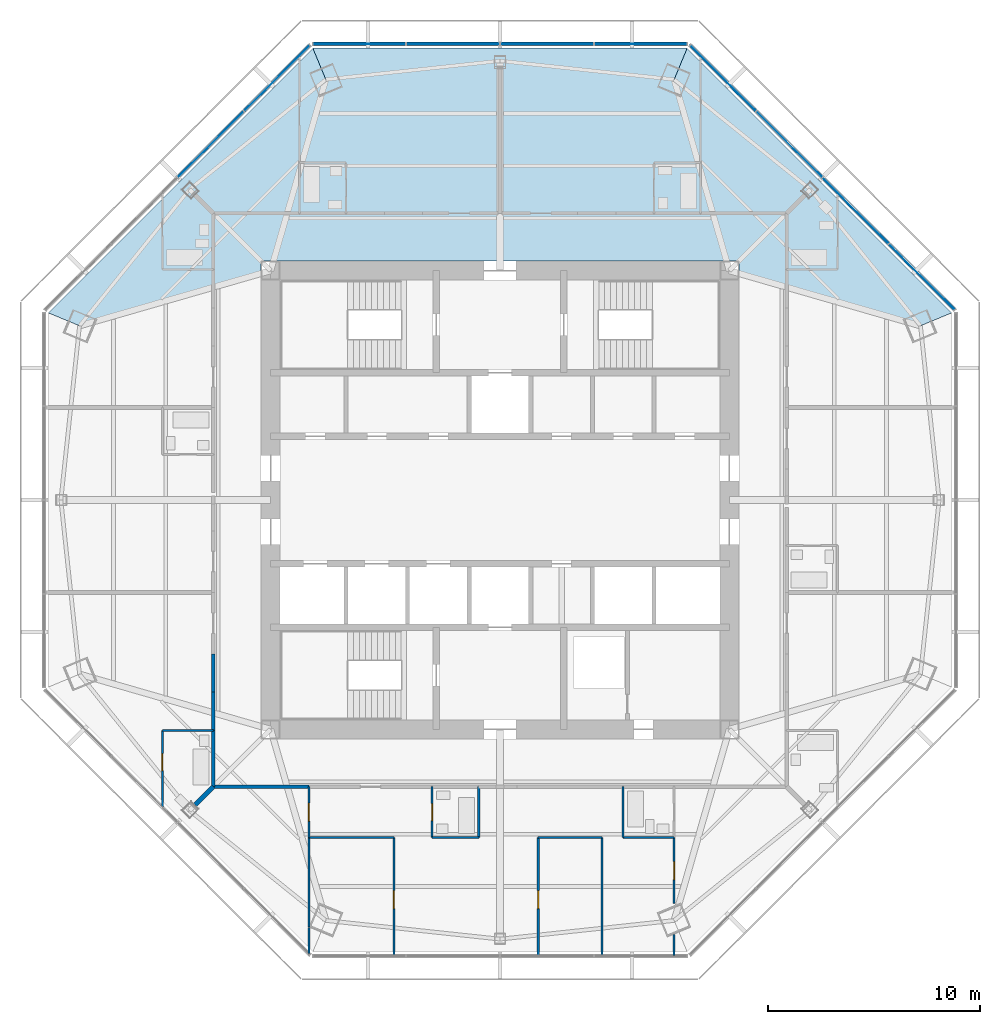
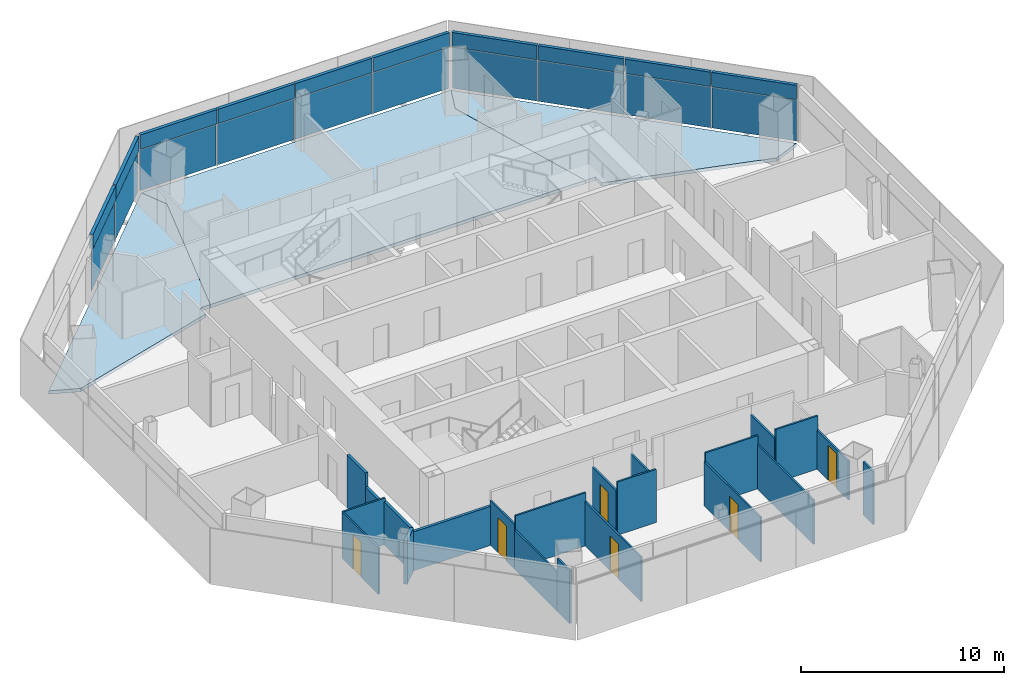
# One storey, part 8 of 15: 22 walls, 20 plates, 6 doors, 3 slabs, 6 openings, 3 elements without a shape of their own.
"""IFC4 building model written with IfcOpenShell, lengths in metres."""

from ifc_helpers import new_model, si_unit, direction, frame, frame_2d, origin, origin_2d, place, context, subcontext, project, spatial, polyline, rectangle, outline, extrude, source, transform, mapped, material, layer, layer_set, type_object, type_shapes, element, fill, aggregate, save


model = new_model("IFC4")

# Units and contexts
model_context = context("Model", 3, precision=1e-05, world=origin(), true_north=direction((0.0, 1.0)))
body_context = subcontext(model_context, "Body", "Model", "MODEL_VIEW")
ifc_project = project(units=[si_unit("LENGTHUNIT", "METRE"), si_unit("AREAUNIT", "SQUARE_METRE"), si_unit("VOLUMEUNIT", "CUBIC_METRE"), si_unit("PLANEANGLEUNIT", "RADIAN"), si_unit("MASSUNIT", "GRAM", prefix="KILO")], contexts=[model_context])

# Site, building, storey
site_placement = place(None, origin())
site = spatial("IfcSite", under=ifc_project, at=site_placement, CompositionType="ELEMENT")
building_placement = place(site_placement, origin())
building = spatial("IfcBuilding", under=site, at=building_placement, Name="Mashrafa Tower", CompositionType="ELEMENT")
storey_placement = place(building_placement, frame((0.0, 0.0, 231.199951171875)))
storey = spatial("IfcBuildingStorey", under=building, at=storey_placement, Name="L54", CompositionType="ELEMENT", Elevation=231.199951171875)

# Slabs
ifc_material_1 = material(Name="Concrete C35/45", Category="concrete")
ifc_layer_1 = layer(ifc_material_1, 0.199951171875)
ifc_layer_set_1 = layer_set([ifc_layer_1], Name="Floor slab 200")
slab_type = type_object("IfcSlabType", Name="Floor slab 200", PredefinedType="FLOOR", material=ifc_layer_set_1)
slab_1_placement = place(storey_placement, frame((0.0, 0.0, -0.199951171875)))
element("IfcSlab", 1, at=slab_1_placement, inside=storey, type_object=slab_type, Name="Floor slab L54 north-east bay", PredefinedType="FLOOR", context=body_context, shape_type="SweptSolid", body=[
    extrude(outline(polyline([(21.2744140625, 8.812255859375), (19.8017578125, 8.2021484375), (11.25, 10.670166015625), (11.25, 11.25), (10.670166015625, 11.25), (8.2021484375, 19.8017578125), (8.812255859375, 21.2744140625), (21.2744140625, 8.812255859375)])), origin(), (0.0, 0.0, 1.0), 0.199951171875),
])
slab_2_placement = place(storey_placement, frame((0.0, 0.0, -0.199951171875)))
element("IfcSlab", 2, at=slab_2_placement, inside=storey, type_object=slab_type, Name="Floor slab L54 north bay", PredefinedType="FLOOR", context=body_context, shape_type="SweptSolid", body=[
    extrude(outline(polyline([(-8.812255859375, 21.2744140625), (8.812255859375, 21.2744140625), (8.812255859375, 21.2744140625), (8.2021484375, 19.8017578125), (10.670166015625, 11.25), (-10.670166015625, 11.25), (-8.2021484375, 19.8017578125), (-8.812255859375, 21.2744140625), (-8.812255859375, 21.2744140625)])), origin(), (0.0, 0.0, 1.0), 0.199951171875),
])
slab_3_placement = place(storey_placement, frame((0.0, 0.0, -0.199951171875)))
element("IfcSlab", 3, at=slab_3_placement, inside=storey, type_object=slab_type, Name="Floor slab L54 north-west bay", PredefinedType="FLOOR", context=body_context, shape_type="SweptSolid", body=[
    extrude(outline(polyline([(-8.812255859375, 21.2744140625), (-8.2021484375, 19.8017578125), (-10.670166015625, 11.25), (-11.25, 11.25), (-11.25, 10.670166015625), (-19.8017578125, 8.2021484375), (-21.2744140625, 8.812255859375), (-8.812255859375, 21.2744140625)])), origin(), (0.0, 0.0, 1.0), 0.199951171875),
])

# Curtain wall, plates
ifc_material_2 = material(Name="Unitised aluminium curtain wall", Category="aluminium")
curtain_wall_type = type_object("IfcCurtainWallType", Name="Apartment curtain wall, zone 3 CW-C 180 deep", PredefinedType="NOTDEFINED", material=ifc_material_2)
curtain_wall_1_placement = place(storey_placement, origin())
curtain_wall_1 = element("IfcCurtainWall", 4, at=curtain_wall_1_placement, inside=storey, type_object=curtain_wall_type, Name="Apartment curtain wall, zone 3 L54 north-east", PredefinedType="NOTDEFINED")
ifc_material_3 = material(Name="Insulated double glazing, acoustic", Category="glass")
ifc_layer_2 = layer(ifc_material_3, 0.028076171875)
ifc_layer_set_2 = layer_set([ifc_layer_2], Name="Vision panel CW-C 28")
plate_type_1 = type_object("IfcPlateType", Name="Vision panel CW-C 28", PredefinedType="CURTAIN_PANEL", material=ifc_layer_set_2)
shared_shape_1 = source(origin(), body_context, "Body", "SweptSolid", [
    extrude(rectangle(XDim=4.333740234375, YDim=0.028076171875, at=origin_2d()), origin(), (0.0, 0.0, 1.0), 2.46240234375),
])
plate_1_placement = place(storey_placement, frame((19.8662109375, 10.503173828125, 0.0), z_axis=(0.0, 0.0, 1.0), x_axis=(-0.707106781187, 0.707106781187, 0.0)))
plate_1 = element("IfcPlate", 5, at=plate_1_placement, type_object=plate_type_1, Name="CW-C vision panel 1", PredefinedType="CURTAIN_PANEL", context=body_context, shape_type="MappedRepresentation", body=[
    mapped(shared_shape_1, transform((0.0, 0.0, 0.0))),
])
plate_2_placement = place(storey_placement, frame((10.503173828125, 19.8662109375, 0.0), z_axis=(0.0, 0.0, 1.0), x_axis=(-0.707106781187, 0.707106781187, 0.0)))
plate_2 = element("IfcPlate", 6, at=plate_2_placement, type_object=plate_type_1, Name="CW-C vision panel 4", PredefinedType="CURTAIN_PANEL", context=body_context, shape_type="MappedRepresentation", body=[
    mapped(shared_shape_1, transform((0.0, 0.0, 0.0))),
])

curtain_wall_2_placement = place(storey_placement, origin())
curtain_wall_2 = element("IfcCurtainWall", 7, at=curtain_wall_2_placement, inside=storey, type_object=curtain_wall_type, Name="Apartment curtain wall, zone 3 L54 north", PredefinedType="NOTDEFINED")
plate_3_placement = place(storey_placement, frame((6.620849609375, 21.474365234375, 0.0), z_axis=(0.0, 0.0, 1.0), x_axis=(-1.0, 0.0, 0.0)))
plate_3 = element("IfcPlate", 8, at=plate_3_placement, type_object=plate_type_1, Name="CW-C vision panel 1", PredefinedType="CURTAIN_PANEL", context=body_context, shape_type="MappedRepresentation", body=[
    mapped(shared_shape_1, transform((0.0, 0.0, 0.0))),
])
plate_4_placement = place(storey_placement, frame((-6.620849609375, 21.474365234375, 0.0), z_axis=(0.0, 0.0, 1.0), x_axis=(-1.0, 0.0, 0.0)))
plate_4 = element("IfcPlate", 9, at=plate_4_placement, type_object=plate_type_1, Name="CW-C vision panel 4", PredefinedType="CURTAIN_PANEL", context=body_context, shape_type="MappedRepresentation", body=[
    mapped(shared_shape_1, transform((0.0, 0.0, 0.0))),
])

# Curtain wall, plate
curtain_wall_3_placement = place(storey_placement, origin())
curtain_wall_3 = element("IfcCurtainWall", 10, at=curtain_wall_3_placement, inside=storey, type_object=curtain_wall_type, Name="Apartment curtain wall, zone 3 L54 north-west", PredefinedType="NOTDEFINED")
plate_5_placement = place(storey_placement, frame((-10.503173828125, 19.8662109375, 0.0), z_axis=(0.0, 0.0, 1.0), x_axis=(-0.707106781187, -0.707106781187, 0.0)))
plate_5 = element("IfcPlate", 11, at=plate_5_placement, type_object=plate_type_1, Name="CW-C vision panel 1", PredefinedType="CURTAIN_PANEL", context=body_context, shape_type="MappedRepresentation", body=[
    mapped(shared_shape_1, transform((0.0, 0.0, 0.0))),
])

# Plate
ifc_material_4 = material(Name="Insulated bronze aluminium spandrel panel", Category="aluminium")
ifc_layer_3 = layer(ifc_material_4, 0.179931640625)
ifc_layer_set_3 = layer_set([ifc_layer_3], Name="Spandrel panel CW-C 180")
plate_type_2 = type_object("IfcPlateType", Name="Spandrel panel CW-C 180", PredefinedType="CURTAIN_PANEL", material=ifc_layer_set_3)
shared_shape_2 = source(origin(), body_context, "Body", "SweptSolid", [
    extrude(rectangle(XDim=4.333740234375, YDim=0.179931640625, at=origin_2d()), origin(), (0.0, 0.0, 1.0), 0.862548828125),
])
plate_6_placement = place(storey_placement, frame((19.8662109375, 10.503173828125, 2.53759765625), z_axis=(0.0, 0.0, 1.0), x_axis=(-0.707106781187, 0.707106781187, 0.0)))
plate_6 = element("IfcPlate", 12, at=plate_6_placement, type_object=plate_type_2, Name="CW-C spandrel panel 1", PredefinedType="CURTAIN_PANEL", context=body_context, shape_type="MappedRepresentation", body=[
    mapped(shared_shape_2, transform((0.0, 0.0, 0.0))),
])

plate_7_placement = place(storey_placement, frame((10.503173828125, 19.8662109375, 2.53759765625), z_axis=(0.0, 0.0, 1.0), x_axis=(-0.707106781187, 0.707106781187, 0.0)))
plate_7 = element("IfcPlate", 13, at=plate_7_placement, type_object=plate_type_2, Name="CW-C spandrel panel 4", PredefinedType="CURTAIN_PANEL", context=body_context, shape_type="MappedRepresentation", body=[
    mapped(shared_shape_2, transform((0.0, 0.0, 0.0))),
])

plate_8_placement = place(storey_placement, frame((6.620849609375, 21.474365234375, 2.53759765625), z_axis=(0.0, 0.0, 1.0), x_axis=(-1.0, 0.0, 0.0)))
plate_8 = element("IfcPlate", 14, at=plate_8_placement, type_object=plate_type_2, Name="CW-C spandrel panel 1", PredefinedType="CURTAIN_PANEL", context=body_context, shape_type="MappedRepresentation", body=[
    mapped(shared_shape_2, transform((0.0, 0.0, 0.0))),
])

plate_9_placement = place(storey_placement, frame((-6.620849609375, 21.474365234375, 2.53759765625), z_axis=(0.0, 0.0, 1.0), x_axis=(-1.0, 0.0, 0.0)))
plate_9 = element("IfcPlate", 15, at=plate_9_placement, type_object=plate_type_2, Name="CW-C spandrel panel 4", PredefinedType="CURTAIN_PANEL", context=body_context, shape_type="MappedRepresentation", body=[
    mapped(shared_shape_2, transform((0.0, 0.0, 0.0))),
])

plate_10_placement = place(storey_placement, frame((-10.503173828125, 19.8662109375, 2.53759765625), z_axis=(0.0, 0.0, 1.0), x_axis=(-0.707106781187, -0.707106781187, 0.0)))
plate_10 = element("IfcPlate", 16, at=plate_10_placement, type_object=plate_type_2, Name="CW-C spandrel panel 1", PredefinedType="CURTAIN_PANEL", context=body_context, shape_type="MappedRepresentation", body=[
    mapped(shared_shape_2, transform((0.0, 0.0, 0.0))),
])

shared_shape_3 = source(origin(), body_context, "Body", "SweptSolid", [
    extrude(rectangle(XDim=4.36376953125, YDim=0.028076171875, at=origin_2d()), origin(), (0.0, 0.0, 1.0), 2.46240234375),
])
type_shapes(plate_type_1, [shared_shape_1, shared_shape_3])
plate_11_placement = place(storey_placement, frame((16.748779296875, 13.62060546875, 0.0), z_axis=(0.0, 0.0, 1.0), x_axis=(-0.707106781187, 0.707106781187, 0.0)))
plate_11 = element("IfcPlate", 17, at=plate_11_placement, type_object=plate_type_1, Name="CW-C vision panel 2", PredefinedType="CURTAIN_PANEL", context=body_context, shape_type="MappedRepresentation", body=[
    mapped(shared_shape_3, transform((0.0, 0.0, 0.0))),
])

plate_12_placement = place(storey_placement, frame((13.62060546875, 16.748779296875, 0.0), z_axis=(0.0, 0.0, 1.0), x_axis=(-0.707106781187, 0.707106781187, 0.0)))
plate_12 = element("IfcPlate", 18, at=plate_12_placement, type_object=plate_type_1, Name="CW-C vision panel 3", PredefinedType="CURTAIN_PANEL", context=body_context, shape_type="MappedRepresentation", body=[
    mapped(shared_shape_3, transform((0.0, 0.0, 0.0))),
])

plate_13_placement = place(storey_placement, frame((2.2119140625, 21.474365234375, 0.0), z_axis=(0.0, 0.0, 1.0), x_axis=(-1.0, 0.0, 0.0)))
plate_13 = element("IfcPlate", 19, at=plate_13_placement, type_object=plate_type_1, Name="CW-C vision panel 2", PredefinedType="CURTAIN_PANEL", context=body_context, shape_type="MappedRepresentation", body=[
    mapped(shared_shape_3, transform((0.0, 0.0, 0.0))),
])

plate_14_placement = place(storey_placement, frame((-2.2119140625, 21.474365234375, 0.0), z_axis=(0.0, 0.0, 1.0), x_axis=(-1.0, 0.0, 0.0)))
plate_14 = element("IfcPlate", 20, at=plate_14_placement, type_object=plate_type_1, Name="CW-C vision panel 3", PredefinedType="CURTAIN_PANEL", context=body_context, shape_type="MappedRepresentation", body=[
    mapped(shared_shape_3, transform((0.0, 0.0, 0.0))),
])

plate_15_placement = place(storey_placement, frame((-13.62060546875, 16.748779296875, 0.0), z_axis=(0.0, 0.0, 1.0), x_axis=(-0.707106781187, -0.707106781187, 0.0)))
plate_15 = element("IfcPlate", 21, at=plate_15_placement, type_object=plate_type_1, Name="CW-C vision panel 2", PredefinedType="CURTAIN_PANEL", context=body_context, shape_type="MappedRepresentation", body=[
    mapped(shared_shape_3, transform((0.0, 0.0, 0.0))),
])

shared_shape_4 = source(origin(), body_context, "Body", "SweptSolid", [
    extrude(rectangle(XDim=4.36376953125, YDim=0.179931640625, at=origin_2d()), origin(), (0.0, 0.0, 1.0), 0.862548828125),
])
type_shapes(plate_type_2, [shared_shape_2, shared_shape_4])
plate_16_placement = place(storey_placement, frame((16.748779296875, 13.62060546875, 2.53759765625), z_axis=(0.0, 0.0, 1.0), x_axis=(-0.707106781187, 0.707106781187, 0.0)))
plate_16 = element("IfcPlate", 22, at=plate_16_placement, type_object=plate_type_2, Name="CW-C spandrel panel 2", PredefinedType="CURTAIN_PANEL", context=body_context, shape_type="MappedRepresentation", body=[
    mapped(shared_shape_4, transform((0.0, 0.0, 0.0))),
])

plate_17_placement = place(storey_placement, frame((13.62060546875, 16.748779296875, 2.53759765625), z_axis=(0.0, 0.0, 1.0), x_axis=(-0.707106781187, 0.707106781187, 0.0)))
plate_17 = element("IfcPlate", 23, at=plate_17_placement, type_object=plate_type_2, Name="CW-C spandrel panel 3", PredefinedType="CURTAIN_PANEL", context=body_context, shape_type="MappedRepresentation", body=[
    mapped(shared_shape_4, transform((0.0, 0.0, 0.0))),
])

aggregate(curtain_wall_1, [plate_1, plate_6, plate_11, plate_16, plate_12, plate_17, plate_2, plate_7])

plate_18_placement = place(storey_placement, frame((2.2119140625, 21.474365234375, 2.53759765625), z_axis=(0.0, 0.0, 1.0), x_axis=(-1.0, 0.0, 0.0)))
plate_18 = element("IfcPlate", 24, at=plate_18_placement, type_object=plate_type_2, Name="CW-C spandrel panel 2", PredefinedType="CURTAIN_PANEL", context=body_context, shape_type="MappedRepresentation", body=[
    mapped(shared_shape_4, transform((0.0, 0.0, 0.0))),
])

plate_19_placement = place(storey_placement, frame((-2.2119140625, 21.474365234375, 2.53759765625), z_axis=(0.0, 0.0, 1.0), x_axis=(-1.0, 0.0, 0.0)))
plate_19 = element("IfcPlate", 25, at=plate_19_placement, type_object=plate_type_2, Name="CW-C spandrel panel 3", PredefinedType="CURTAIN_PANEL", context=body_context, shape_type="MappedRepresentation", body=[
    mapped(shared_shape_4, transform((0.0, 0.0, 0.0))),
])

aggregate(curtain_wall_2, [plate_3, plate_8, plate_13, plate_18, plate_14, plate_19, plate_4, plate_9])

plate_20_placement = place(storey_placement, frame((-13.62060546875, 16.748779296875, 2.53759765625), z_axis=(0.0, 0.0, 1.0), x_axis=(-0.707106781187, -0.707106781187, 0.0)))
plate_20 = element("IfcPlate", 26, at=plate_20_placement, type_object=plate_type_2, Name="CW-C spandrel panel 2", PredefinedType="CURTAIN_PANEL", context=body_context, shape_type="MappedRepresentation", body=[
    mapped(shared_shape_4, transform((0.0, 0.0, 0.0))),
])

aggregate(curtain_wall_3, [plate_5, plate_10, plate_15, plate_20])

# Walls
ifc_material_5 = material(Name="Gypsum board on steel studs", Category="steel")
ifc_layer_4 = layer(ifc_material_5, 0.199951171875)
ifc_layer_set_4 = layer_set([ifc_layer_4], Name="Acoustic partition 200 1 hr")
wall_type_1 = type_object("IfcWallType", Name="Acoustic partition 200 1 hr", PredefinedType="PARTITIONING", material=ifc_layer_set_4)
wall_1_placement = place(storey_placement, frame((-14.360595703125, -14.360595703125, 0.0), z_axis=(0.0, 0.0, 1.0), x_axis=(0.707106781187, 0.707106781187, 0.0)))
element("IfcWall", 27, at=wall_1_placement, inside=storey, type_object=wall_type_1, Name="Acoustic wall L54-076", PredefinedType="PARTITIONING", context=body_context, shape_type="SweptSolid", body=[
    extrude(rectangle(XDim=1.217041015625, YDim=0.199951171875, at=frame_2d((0.6083984375, 0.0))), origin(), (0.0, 0.0, 1.0), 2.5830078125),
])
ifc_material_6 = material(Name="Gypsum board on steel studs", Category="steel")
ifc_layer_5 = layer(ifc_material_6, 0.14990234375)
ifc_layer_set_5 = layer_set([ifc_layer_5], Name="Corridor partition 150 1 hr")
wall_type_2 = type_object("IfcWallType", Name="Corridor partition 150 1 hr", PredefinedType="PARTITIONING", material=ifc_layer_set_5)
wall_2_placement = place(storey_placement, frame((-13.5, -10.84912109375, 0.0), z_axis=(0.0, 0.0, 1.0), x_axis=(0.0, -1.0, 0.0)))
element("IfcWall", 28, at=wall_2_placement, inside=storey, type_object=wall_type_2, Name="Corridor wall L54-033", PredefinedType="PARTITIONING", context=body_context, shape_type="SweptSolid", body=[
    extrude(rectangle(XDim=2.65087890625, YDim=0.14990234375, at=frame_2d((1.325439453125, 0.0))), origin(), (0.0, 0.0, 1.0), 2.5830078125),
])
wall_3_placement = place(storey_placement, frame((-13.5, -7.2490234375, 0.0), z_axis=(0.0, 0.0, 1.0), x_axis=(0.0, -1.0, 0.0)))
element("IfcWall", 29, at=wall_3_placement, inside=storey, type_object=wall_type_2, Name="Corridor wall L54-034", PredefinedType="PARTITIONING", context=body_context, shape_type="SweptSolid", body=[
    extrude(rectangle(XDim=1.802001953125, YDim=0.14990234375, at=frame_2d((0.90087890625, 0.0))), origin(), (0.0, 0.0, 1.0), 3.199951171875),
])
wall_4_placement = place(storey_placement, frame((-13.5, -9.049072265625, 0.0), z_axis=(0.0, 0.0, 1.0), x_axis=(0.0, -1.0, 0.0)))
element("IfcWall", 30, at=wall_4_placement, inside=storey, type_object=wall_type_2, Name="Corridor wall L54-035", PredefinedType="PARTITIONING", context=body_context, shape_type="SweptSolid", body=[
    extrude(rectangle(XDim=1.802001953125, YDim=0.14990234375, at=frame_2d((0.90087890625, 0.0))), origin(), (0.0, 0.0, 1.0), 2.34423828125),
])
wall_5_placement = place(storey_placement, frame((-13.5, -13.5, 0.0), z_axis=(0.0, 0.0, 1.0), x_axis=(1.0, 0.0, 0.0)))
element("IfcWall", 31, at=wall_5_placement, inside=storey, type_object=wall_type_2, Name="Corridor wall L54-037", PredefinedType="PARTITIONING", context=body_context, shape_type="SweptSolid", body=[
    extrude(rectangle(XDim=4.5009765625, YDim=0.14990234375, at=frame_2d((2.25048828125, 0.0))), origin(), (0.0, 0.0, 1.0), 2.34423828125),
])
ifc_material_7 = material(Name="Gypsum board on steel studs", Category="steel")
ifc_layer_6 = layer(ifc_material_7, 0.10009765625)
ifc_layer_set_6 = layer_set([ifc_layer_6], Name="Partition 100")
wall_type_3 = type_object("IfcWallType", Name="Partition 100", PredefinedType="PARTITIONING", material=ifc_layer_set_6)
wall_6_placement = place(storey_placement, frame((-13.5, -10.85009765625, 0.0), z_axis=(0.0, 0.0, 1.0), x_axis=(-1.0, 0.0, 0.0)))
element("IfcWall", 32, at=wall_6_placement, inside=storey, type_object=wall_type_3, Name="Partition wall L54-074", PredefinedType="PARTITIONING", context=body_context, shape_type="SweptSolid", body=[
    extrude(rectangle(XDim=2.39990234375, YDim=0.10009765625, at=frame_2d((1.199951171875, 0.0))), origin(), (0.0, 0.0, 1.0), 2.7861328125),
])

# Wall, opening, door
wall_7_placement = place(storey_placement, frame((-15.89990234375, -10.85009765625, 0.0), z_axis=(0.0, 0.0, 1.0), x_axis=(0.0, -1.0, 0.0)))
wall_7 = element("IfcWall", 33, at=wall_7_placement, inside=storey, type_object=wall_type_3, Name="Partition wall L54-075", PredefinedType="PARTITIONING", context=body_context, shape_type="SweptSolid", body=[
    extrude(rectangle(XDim=3.597412109375, YDim=0.10009765625, at=frame_2d((1.798828125, 0.0))), origin(), (0.0, 0.0, 1.0), 2.78369140625),
])
opening_1_placement = place(wall_7_placement, frame((1.091552734375, 0.0, 0.0)))
opening_1 = element("IfcOpeningElement", 34, at=opening_1_placement, cuts=wall_7, Name="Opening 54.017", PredefinedType="OPENING", context=body_context, shape_type="SweptSolid", body=[
    extrude(rectangle(XDim=0.800048828125, YDim=2.10009765625, at=frame_2d((0.39990234375, 1.050048828125))), frame((0.0, 0.06005859375, 0.0), z_axis=(0.0, -1.0, 0.0), x_axis=(1.0, 0.0, 0.0)), (0.0, 0.0, 1.0), 0.1201171875),
])
ifc_material_8 = material(Name="Timber door", Category="wood")
door_type_1 = type_object("IfcDoorType", Name="Bathroom door 800 x 2100", OperationType="USERDEFINED", PredefinedType="DOOR", material=ifc_material_8)
door_1_placement = place(opening_1_placement, origin())
door_1 = element("IfcDoor", 35, at=door_1_placement, inside=storey, type_object=door_type_1, Name="Apartment 5408 Bathroom door", OperationType="SINGLE_SWING_LEFT", OverallHeight=2.10009765625, OverallWidth=0.800048828125, PredefinedType="DOOR", context=body_context, shape_type="SweptSolid", body=[
    extrude(rectangle(XDim=0.800048828125, YDim=2.10009765625, at=frame_2d((0.39990234375, 1.050048828125))), frame((0.0, 0.02490234375, 0.0), z_axis=(0.0, -1.0, 0.0), x_axis=(1.0, 0.0, 0.0)), (0.0, 0.0, 1.0), 0.050048828125),
])
fill(opening_1, door_1)

# Walls
wall_8_placement = place(storey_placement, frame((-9.0, -21.345703125, 0.0), z_axis=(0.0, 0.0, 1.0), x_axis=(0.0, 1.0, 0.0)))
element("IfcWall", 36, at=wall_8_placement, inside=storey, type_object=wall_type_3, Name="Partition wall L54-077", PredefinedType="PARTITIONING", context=body_context, shape_type="SweptSolid", body=[
    extrude(rectangle(XDim=1.210693359375, YDim=0.10009765625, at=frame_2d((0.60546875, 0.0))), origin(), (0.0, 0.0, 1.0), 3.199951171875),
])
wall_9_placement = place(storey_placement, frame((-9.0, -20.1103515625, 0.0), z_axis=(0.0, 0.0, 1.0), x_axis=(0.0, 1.0, 0.0)))
element("IfcWall", 37, at=wall_9_placement, inside=storey, type_object=wall_type_3, Name="Partition wall L54-078", PredefinedType="PARTITIONING", context=body_context, shape_type="SweptSolid", body=[
    extrude(rectangle(XDim=4.21142578125, YDim=0.10009765625, at=frame_2d((2.105712890625, 0.0))), origin(), (0.0, 0.0, 1.0), 2.34423828125),
])

# Wall, opening, door
wall_10_placement = place(storey_placement, frame((-9.0, -15.90087890625, 0.0), z_axis=(0.0, 0.0, 1.0), x_axis=(0.0, 1.0, 0.0)))
wall_10 = element("IfcWall", 38, at=wall_10_placement, inside=storey, type_object=wall_type_3, Name="Partition wall L54-079", PredefinedType="PARTITIONING", context=body_context, shape_type="SweptSolid", body=[
    extrude(rectangle(XDim=2.40087890625, YDim=0.10009765625, at=frame_2d((1.200439453125, 0.0))), origin(), (0.0, 0.0, 1.0), 2.664306640625),
])
opening_2_placement = place(wall_10_placement, frame((0.775390625, 0.0, 0.0)))
opening_2 = element("IfcOpeningElement", 39, at=opening_2_placement, cuts=wall_10, Name="Opening 54.019", PredefinedType="OPENING", context=body_context, shape_type="SweptSolid", body=[
    extrude(rectangle(XDim=0.85009765625, YDim=2.10009765625, at=frame_2d((0.425048828125, 1.050048828125))), frame((0.0, 0.06005859375, 0.0), z_axis=(0.0, -1.0, 0.0), x_axis=(1.0, 0.0, 0.0)), (0.0, 0.0, 1.0), 0.1201171875),
])
ifc_material_9 = material(Name="Timber door", Category="wood")
door_type_2 = type_object("IfcDoorType", Name="Bedroom door 850 x 2100", OperationType="USERDEFINED", PredefinedType="DOOR", material=ifc_material_9)
door_2_placement = place(opening_2_placement, origin())
door_2 = element("IfcDoor", 40, at=door_2_placement, inside=storey, type_object=door_type_2, Name="Apartment 5409 Bedroom 1 door", OperationType="SINGLE_SWING_RIGHT", OverallHeight=2.10009765625, OverallWidth=0.85009765625, PredefinedType="DOOR", context=body_context, shape_type="SweptSolid", body=[
    extrude(rectangle(XDim=0.85009765625, YDim=2.10009765625, at=frame_2d((0.425048828125, 1.050048828125))), frame((0.0, 0.02490234375, 0.0), z_axis=(0.0, -1.0, 0.0), x_axis=(1.0, 0.0, 0.0)), (0.0, 0.0, 1.0), 0.050048828125),
])
fill(opening_2, door_2)

wall_11_placement = place(storey_placement, frame((-5.0, -21.45849609375, 0.0), z_axis=(0.0, 0.0, 1.0), x_axis=(0.0, 1.0, 0.0)))
wall_11 = element("IfcWall", 41, at=wall_11_placement, inside=storey, type_object=wall_type_3, Name="Partition wall L54-080", PredefinedType="PARTITIONING", context=body_context, shape_type="SweptSolid", body=[
    extrude(rectangle(XDim=5.55859375, YDim=0.10009765625, at=frame_2d((2.779296875, 0.0))), origin(), (0.0, 0.0, 1.0), 2.661865234375),
])
opening_3_placement = place(wall_11_placement, frame((2.21630859375, 0.0, 0.0)))
opening_3 = element("IfcOpeningElement", 42, at=opening_3_placement, cuts=wall_11, Name="Opening 54.020", PredefinedType="OPENING", context=body_context, shape_type="SweptSolid", body=[
    extrude(rectangle(XDim=0.85009765625, YDim=2.10009765625, at=frame_2d((0.425048828125, 1.050048828125))), frame((0.0, 0.06005859375, 0.0), z_axis=(0.0, -1.0, 0.0), x_axis=(1.0, 0.0, 0.0)), (0.0, 0.0, 1.0), 0.1201171875),
])
door_3_placement = place(opening_3_placement, origin())
door_3 = element("IfcDoor", 43, at=door_3_placement, inside=storey, type_object=door_type_2, Name="Apartment 5409 Bedroom 2 door", OperationType="SINGLE_SWING_LEFT", OverallHeight=2.10009765625, OverallWidth=0.85009765625, PredefinedType="DOOR", context=body_context, shape_type="SweptSolid", body=[
    extrude(rectangle(XDim=0.85009765625, YDim=2.10009765625, at=frame_2d((0.425048828125, 1.050048828125))), frame((0.0, 0.02490234375, 0.0), z_axis=(0.0, -1.0, 0.0), x_axis=(1.0, 0.0, 0.0)), (0.0, 0.0, 1.0), 0.050048828125),
])
fill(opening_3, door_3)

# Walls
wall_12_placement = place(storey_placement, frame((-5.0, -15.89990234375, 0.0), z_axis=(0.0, 0.0, 1.0), x_axis=(-1.0, 0.0, 0.0)))
element("IfcWall", 44, at=wall_12_placement, inside=storey, type_object=wall_type_3, Name="Partition wall L54-081", PredefinedType="PARTITIONING", context=body_context, shape_type="SweptSolid", body=[
    extrude(rectangle(XDim=4.0, YDim=0.10009765625, at=frame_2d((2.0, 0.0))), origin(), (0.0, 0.0, 1.0), 3.199951171875),
])
wall_13_placement = place(storey_placement, frame((-1.0, -15.89990234375, 0.0), z_axis=(0.0, 0.0, 1.0), x_axis=(0.0, 1.0, 0.0)))
element("IfcWall", 45, at=wall_13_placement, inside=storey, type_object=wall_type_3, Name="Partition wall L54-082", PredefinedType="PARTITIONING", context=body_context, shape_type="SweptSolid", body=[
    extrude(rectangle(XDim=2.39990234375, YDim=0.10009765625, at=frame_2d((1.199951171875, 0.0))), origin(), (0.0, 0.0, 1.0), 2.664306640625),
])

# Wall, opening, door
wall_14_placement = place(storey_placement, frame((-3.199951171875, -13.5, 0.0), z_axis=(0.0, 0.0, 1.0), x_axis=(0.0, -1.0, 0.0)))
wall_14 = element("IfcWall", 46, at=wall_14_placement, inside=storey, type_object=wall_type_3, Name="Partition wall L54-083", PredefinedType="PARTITIONING", context=body_context, shape_type="SweptSolid", body=[
    extrude(rectangle(XDim=2.39990234375, YDim=0.10009765625, at=frame_2d((1.199951171875, 0.0))), origin(), (0.0, 0.0, 1.0), 2.664306640625),
])
opening_4_placement = place(wall_14_placement, frame((0.800048828125, 0.0, 0.0)))
opening_4 = element("IfcOpeningElement", 47, at=opening_4_placement, cuts=wall_14, Name="Opening 54.021", PredefinedType="OPENING", context=body_context, shape_type="SweptSolid", body=[
    extrude(rectangle(XDim=0.800048828125, YDim=2.10009765625, at=frame_2d((0.39990234375, 1.050048828125))), frame((0.0, 0.06005859375, 0.0), z_axis=(0.0, -1.0, 0.0), x_axis=(1.0, 0.0, 0.0)), (0.0, 0.0, 1.0), 0.1201171875),
])
door_4_placement = place(opening_4_placement, origin())
door_4 = element("IfcDoor", 48, at=door_4_placement, inside=storey, type_object=door_type_1, Name="Apartment 5409 Bathroom door", OperationType="SINGLE_SWING_RIGHT", OverallHeight=2.10009765625, OverallWidth=0.800048828125, PredefinedType="DOOR", context=body_context, shape_type="SweptSolid", body=[
    extrude(rectangle(XDim=0.800048828125, YDim=2.10009765625, at=frame_2d((0.39990234375, 1.050048828125))), frame((0.0, 0.02490234375, 0.0), z_axis=(0.0, -1.0, 0.0), x_axis=(1.0, 0.0, 0.0)), (0.0, 0.0, 1.0), 0.050048828125),
])
fill(opening_4, door_4)

# Walls
wall_15_placement = place(storey_placement, frame((-3.199951171875, -15.89990234375, 0.0), z_axis=(0.0, 0.0, 1.0), x_axis=(1.0, 0.0, 0.0)))
element("IfcWall", 49, at=wall_15_placement, inside=storey, type_object=wall_type_3, Name="Partition wall L54-084", PredefinedType="PARTITIONING", context=body_context, shape_type="SweptSolid", body=[
    extrude(rectangle(XDim=2.199951171875, YDim=0.10009765625, at=frame_2d((1.10009765625, 0.0))), origin(), (0.0, 0.0, 1.0), 3.199951171875),
])
wall_16_placement = place(storey_placement, frame((5.800048828125, -13.5, 0.0), z_axis=(0.0, 0.0, 1.0), x_axis=(0.0, -1.0, 0.0)))
element("IfcWall", 50, at=wall_16_placement, inside=storey, type_object=wall_type_3, Name="Partition wall L54-086", PredefinedType="PARTITIONING", context=body_context, shape_type="SweptSolid", body=[
    extrude(rectangle(XDim=2.39990234375, YDim=0.10009765625, at=frame_2d((1.199951171875, 0.0))), origin(), (0.0, 0.0, 1.0), 2.664306640625),
])
wall_17_placement = place(storey_placement, frame((5.800048828125, -15.89990234375, 0.0), z_axis=(0.0, 0.0, 1.0), x_axis=(1.0, 0.0, 0.0)))
element("IfcWall", 51, at=wall_17_placement, inside=storey, type_object=wall_type_3, Name="Partition wall L54-087", PredefinedType="PARTITIONING", context=body_context, shape_type="SweptSolid", body=[
    extrude(rectangle(XDim=2.39990234375, YDim=0.10009765625, at=frame_2d((1.199951171875, 0.0))), origin(), (0.0, 0.0, 1.0), 3.199951171875),
])

# Wall, opening, door
wall_18_placement = place(storey_placement, frame((8.199951171875, -15.89892578125, 0.0), z_axis=(0.0, 0.0, 1.0), x_axis=(0.0, -1.0, 0.0)))
wall_18 = element("IfcWall", 52, at=wall_18_placement, inside=storey, type_object=wall_type_3, Name="Partition wall L54-088", PredefinedType="PARTITIONING", context=body_context, shape_type="SweptSolid", body=[
    extrude(rectangle(XDim=3.1142578125, YDim=0.10009765625, at=frame_2d((1.55712890625, 0.0))), origin(), (0.0, 0.0, 1.0), 2.34423828125),
])
opening_5_placement = place(wall_18_placement, frame((1.132080078125, 0.0, 0.0)))
opening_5 = element("IfcOpeningElement", 53, at=opening_5_placement, cuts=wall_18, Name="Opening 54.023", PredefinedType="OPENING", context=body_context, shape_type="SweptSolid", body=[
    extrude(rectangle(XDim=0.85009765625, YDim=2.10009765625, at=frame_2d((0.425048828125, 1.050048828125))), frame((0.0, 0.06005859375, 0.0), z_axis=(0.0, -1.0, 0.0), x_axis=(1.0, 0.0, 0.0)), (0.0, 0.0, 1.0), 0.1201171875),
])
door_5_placement = place(opening_5_placement, origin())
door_5 = element("IfcDoor", 54, at=door_5_placement, inside=storey, type_object=door_type_2, Name="Apartment 5409 Bedroom 3 door", OperationType="SINGLE_SWING_RIGHT", OverallHeight=2.10009765625, OverallWidth=0.85009765625, PredefinedType="DOOR", context=body_context, shape_type="SweptSolid", body=[
    extrude(rectangle(XDim=0.85009765625, YDim=2.10009765625, at=frame_2d((0.425048828125, 1.050048828125))), frame((0.0, 0.02490234375, 0.0), z_axis=(0.0, -1.0, 0.0), x_axis=(1.0, 0.0, 0.0)), (0.0, 0.0, 1.0), 0.050048828125),
])
fill(opening_5, door_5)

# Wall
wall_19_placement = place(storey_placement, frame((8.199951171875, -20.46630859375, 0.0), z_axis=(0.0, 0.0, 1.0), x_axis=(0.0, -1.0, 0.0)))
element("IfcWall", 55, at=wall_19_placement, inside=storey, type_object=wall_type_3, Name="Partition wall L54-089", PredefinedType="PARTITIONING", context=body_context, shape_type="SweptSolid", body=[
    extrude(rectangle(XDim=0.989990234375, YDim=0.10009765625, at=frame_2d((0.4951171875, 0.0))), origin(), (0.0, 0.0, 1.0), 3.199951171875),
])

# Wall, opening, door
wall_20_placement = place(storey_placement, frame((1.800048828125, -21.45849609375, 0.0), z_axis=(0.0, 0.0, 1.0), x_axis=(0.0, 1.0, 0.0)))
wall_20 = element("IfcWall", 56, at=wall_20_placement, inside=storey, type_object=wall_type_3, Name="Partition wall L54-090", PredefinedType="PARTITIONING", context=body_context, shape_type="SweptSolid", body=[
    extrude(rectangle(XDim=5.55859375, YDim=0.10009765625, at=frame_2d((2.779296875, 0.0))), origin(), (0.0, 0.0, 1.0), 2.661865234375),
])
opening_6_placement = place(wall_20_placement, frame((2.21630859375, 0.0, 0.0)))
opening_6 = element("IfcOpeningElement", 57, at=opening_6_placement, cuts=wall_20, Name="Opening 54.025", PredefinedType="OPENING", context=body_context, shape_type="SweptSolid", body=[
    extrude(rectangle(XDim=0.85009765625, YDim=2.10009765625, at=frame_2d((0.425048828125, 1.050048828125))), frame((0.0, 0.06005859375, 0.0), z_axis=(0.0, -1.0, 0.0), x_axis=(1.0, 0.0, 0.0)), (0.0, 0.0, 1.0), 0.1201171875),
])
door_6_placement = place(opening_6_placement, frame((0.85009765625, 0.0, 0.0), z_axis=(0.0, 0.0, 1.0), x_axis=(-1.0, 0.0, 0.0)))
door_6 = element("IfcDoor", 58, at=door_6_placement, inside=storey, type_object=door_type_2, Name="Apartment 5409 Dining Room door", OperationType="SINGLE_SWING_RIGHT", OverallHeight=2.10009765625, OverallWidth=0.85009765625, PredefinedType="DOOR", context=body_context, shape_type="SweptSolid", body=[
    extrude(rectangle(XDim=0.85009765625, YDim=2.10009765625, at=frame_2d((0.425048828125, 1.050048828125))), frame((0.0, 0.02490234375, 0.0), z_axis=(0.0, -1.0, 0.0), x_axis=(1.0, 0.0, 0.0)), (0.0, 0.0, 1.0), 0.050048828125),
])
fill(opening_6, door_6)

# Walls
wall_21_placement = place(storey_placement, frame((1.800048828125, -15.89990234375, 0.0), z_axis=(0.0, 0.0, 1.0), x_axis=(1.0, 0.0, 0.0)))
element("IfcWall", 59, at=wall_21_placement, inside=storey, type_object=wall_type_3, Name="Partition wall L54-091", PredefinedType="PARTITIONING", context=body_context, shape_type="SweptSolid", body=[
    extrude(rectangle(XDim=3.0, YDim=0.10009765625, at=frame_2d((1.5, 0.0))), origin(), (0.0, 0.0, 1.0), 3.199951171875),
])
wall_22_placement = place(storey_placement, frame((4.800048828125, -15.89990234375, 0.0), z_axis=(0.0, 0.0, 1.0), x_axis=(0.0, -1.0, 0.0)))
element("IfcWall", 60, at=wall_22_placement, inside=storey, type_object=wall_type_3, Name="Partition wall L54-092", PredefinedType="PARTITIONING", context=body_context, shape_type="SweptSolid", body=[
    extrude(rectangle(XDim=5.556396484375, YDim=0.10009765625, at=frame_2d((2.7783203125, 0.0))), origin(), (0.0, 0.0, 1.0), 2.661865234375),
])

save(model, "model.ifc")
